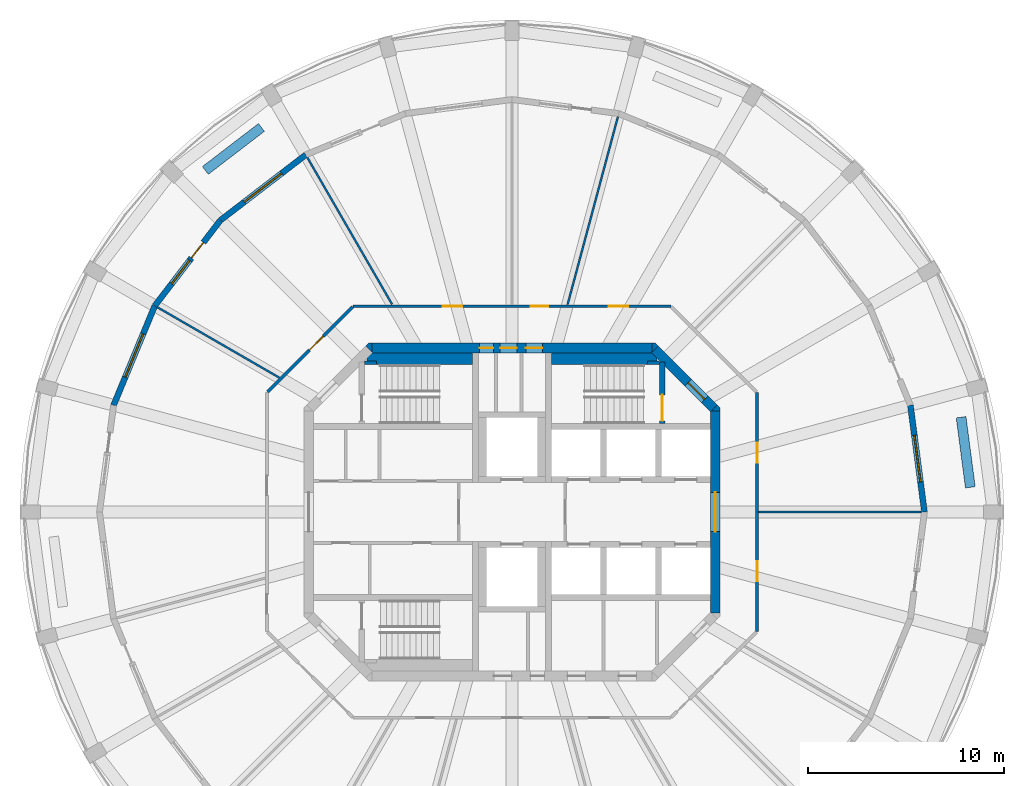
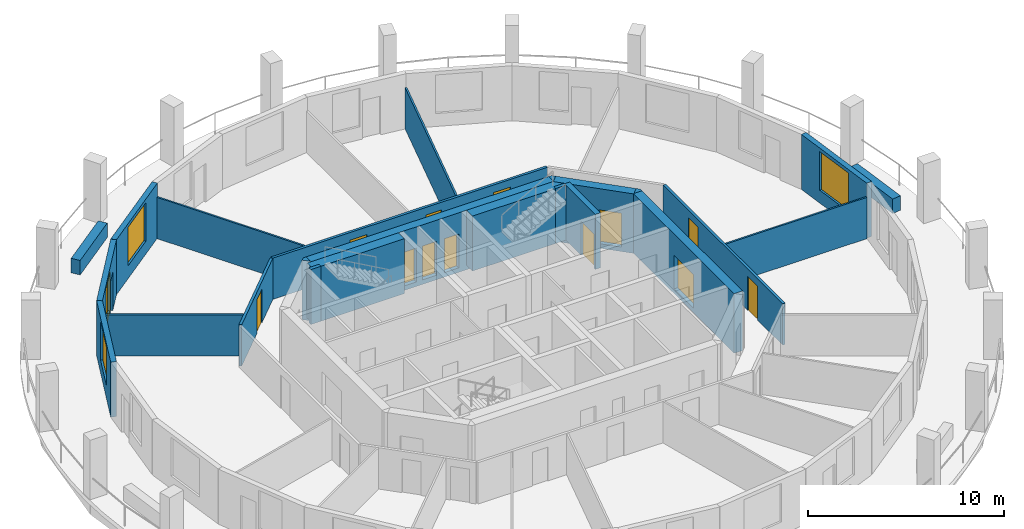
# One storey, part 5 of 8: 24 walls, 13 doors, 4 windows, 17 openings.
"""IFC4 building model written with IfcOpenShell, lengths in metres."""

from ifc_helpers import new_model, si_unit, direction, frame, frame_2d, origin, place, context, subcontext, project, spatial, polyline, rectangle, outline, extrude, material, layer, layer_set, type_object, element, fill, save


model = new_model("IFC4")

# Units and contexts
model_context = context("Model", 3, precision=1e-05, world=origin(), true_north=direction((0.0, 1.0)))
body_context = subcontext(model_context, "Body", "Model", "MODEL_VIEW")
ifc_project = project(units=[si_unit("LENGTHUNIT", "METRE"), si_unit("AREAUNIT", "SQUARE_METRE"), si_unit("VOLUMEUNIT", "CUBIC_METRE"), si_unit("PLANEANGLEUNIT", "RADIAN"), si_unit("MASSUNIT", "GRAM", prefix="KILO")], contexts=[model_context])

# Site, building, storey
site_placement = place(None, origin())
site = spatial("IfcSite", under=ifc_project, at=site_placement, CompositionType="ELEMENT")
building_placement = place(site_placement, origin())
building = spatial("IfcBuilding", under=site, at=building_placement, Name="Torre Triforio", CompositionType="ELEMENT")
storey_placement = place(building_placement, frame((0.0, 0.0, 257.5)))
storey = spatial("IfcBuildingStorey", under=building, at=storey_placement, Name="L59", CompositionType="ELEMENT", Elevation=257.5)

# Wall, openings, doors
ifc_material_1 = material(Name="Concrete C40", Category="concrete")
ifc_layer_1 = layer(ifc_material_1, 0.5)
ifc_layer_set_1 = layer_set([ifc_layer_1], Name="Concrete C40")
wall_type_1 = type_object("IfcWallType", Name="Core wall 500 mm C40 EI 120", PredefinedType="SHEAR", material=ifc_layer_set_1)
wall_1_placement = place(storey_placement, frame((-7.1298828125, 8.35009765625, -0.280029296875), z_axis=(0.0, 0.0, 1.0), x_axis=(1.0, 0.0, 0.0)))
wall_1 = element("IfcWall", 1, at=wall_1_placement, inside=storey, type_object=wall_type_1, Name="Core wall", PredefinedType="SHEAR", context=body_context, shape_type="SweptSolid", body=[
    extrude(rectangle(XDim=14.259765625, YDim=0.5, at=frame_2d((7.1298828125, 0.0))), origin(), (0.0, 0.0, 1.0), 3.699951171875),
])
opening_1_placement = place(wall_1_placement, frame((5.47998046875, 0.0, 0.280029296875)))
opening_1 = element("IfcOpeningElement", 2, at=opening_1_placement, cuts=wall_1, Name="Opening RISER-N", PredefinedType="OPENING", context=body_context, shape_type="SweptSolid", body=[
    extrude(rectangle(XDim=0.699951171875, YDim=2.10009765625, at=frame_2d((0.35009765625, 1.050048828125))), frame((0.0, 0.260009765625, 0.0), z_axis=(0.0, -1.0, 0.0), x_axis=(1.0, 0.0, 0.0)), (0.0, 0.0, 1.0), 0.52001953125),
])
opening_2_placement = place(wall_1_placement, frame((6.530029296875, 0.0, 0.280029296875)))
opening_2 = element("IfcOpeningElement", 3, at=opening_2_placement, cuts=wall_1, Name="Opening NE-01A", PredefinedType="OPENING", context=body_context, shape_type="SweptSolid", body=[
    extrude(rectangle(XDim=0.85009765625, YDim=2.10009765625, at=frame_2d((0.425048828125, 1.050048828125))), frame((0.0, 0.260009765625, 0.0), z_axis=(0.0, -1.0, 0.0), x_axis=(1.0, 0.0, 0.0)), (0.0, 0.0, 1.0), 0.52001953125),
])
opening_3_placement = place(wall_1_placement, frame((7.830078125, 0.0, 0.280029296875)))
opening_3 = element("IfcOpeningElement", 4, at=opening_3_placement, cuts=wall_1, Name="Opening NE-02", PredefinedType="OPENING", context=body_context, shape_type="SweptSolid", body=[
    extrude(rectangle(XDim=0.85009765625, YDim=2.10009765625, at=frame_2d((0.425048828125, 1.050048828125))), frame((0.0, 0.260009765625, 0.0), z_axis=(0.0, -1.0, 0.0), x_axis=(1.0, 0.0, 0.0)), (0.0, 0.0, 1.0), 0.52001953125),
])
ifc_material_2 = material(Name="Hollow metal fire door leaf")
door_type_1 = type_object("IfcDoorType", Name="Plant room door 850 x 2100 EI 60", OperationType="NOTDEFINED", PredefinedType="DOOR", material=ifc_material_2)
door_1_placement = place(opening_3_placement, origin())
door_1 = element("IfcDoor", 5, at=door_1_placement, inside=storey, type_object=door_type_1, Name="Core door NE-02", OperationType="SINGLE_SWING_RIGHT", OverallHeight=2.10009765625, OverallWidth=0.85009765625, PredefinedType="DOOR", context=body_context, shape_type="SweptSolid", body=[
    extrude(rectangle(XDim=0.85009765625, YDim=2.10009765625, at=frame_2d((0.425048828125, 1.050048828125))), frame((0.0, 0.02490234375, 0.0), z_axis=(0.0, -1.0, 0.0), x_axis=(1.0, 0.0, 0.0)), (0.0, 0.0, 1.0), 0.050048828125),
])
fill(opening_3, door_1)
door_type_2 = type_object("IfcDoorType", Name="Riser door 700 x 2100 EI 60", OperationType="NOTDEFINED", PredefinedType="DOOR", material=ifc_material_2)
door_2_placement = place(opening_1_placement, origin())
door_2 = element("IfcDoor", 6, at=door_2_placement, inside=storey, type_object=door_type_2, Name="Core door RISER-N", OperationType="SINGLE_SWING_LEFT", OverallHeight=2.10009765625, OverallWidth=0.699951171875, PredefinedType="DOOR", context=body_context, shape_type="SweptSolid", body=[
    extrude(rectangle(XDim=0.699951171875, YDim=2.10009765625, at=frame_2d((0.35009765625, 1.050048828125))), frame((0.0, 0.02490234375, 0.0), z_axis=(0.0, -1.0, 0.0), x_axis=(1.0, 0.0, 0.0)), (0.0, 0.0, 1.0), 0.050048828125),
])
fill(opening_1, door_2)
door_type_3 = type_object("IfcDoorType", Name="Room door 850 x 2100 EI 60", OperationType="NOTDEFINED", PredefinedType="DOOR", material=ifc_material_2)
door_3_placement = place(opening_2_placement, origin())
door_3 = element("IfcDoor", 7, at=door_3_placement, inside=storey, type_object=door_type_3, Name="Core door NE-01", OperationType="SINGLE_SWING_LEFT", OverallHeight=2.10009765625, OverallWidth=0.85009765625, PredefinedType="DOOR", context=body_context, shape_type="SweptSolid", body=[
    extrude(rectangle(XDim=0.85009765625, YDim=2.10009765625, at=frame_2d((0.425048828125, 1.050048828125))), frame((0.0, 0.02490234375, 0.0), z_axis=(0.0, -1.0, 0.0), x_axis=(1.0, 0.0, 0.0)), (0.0, 0.0, 1.0), 0.050048828125),
])
fill(opening_2, door_3)

# Wall, opening, door
wall_2_placement = place(storey_placement, frame((10.35009765625, -5.1298828125, -0.280029296875), z_axis=(0.0, 0.0, 1.0), x_axis=(0.0, 1.0, 0.0)))
wall_2 = element("IfcWall", 8, at=wall_2_placement, inside=storey, type_object=wall_type_1, Name="Core wall", PredefinedType="SHEAR", context=body_context, shape_type="SweptSolid", body=[
    extrude(rectangle(XDim=10.259765625, YDim=0.5, at=frame_2d((5.1298828125, 0.0))), origin(), (0.0, 0.0, 1.0), 3.699951171875),
])
opening_4_placement = place(wall_2_placement, frame((4.1298828125, 0.0, 0.280029296875)))
opening_4 = element("IfcOpeningElement", 9, at=opening_4_placement, cuts=wall_2, Name="Opening E-RING", PredefinedType="OPENING", context=body_context, shape_type="SweptSolid", body=[
    extrude(rectangle(XDim=2.0, YDim=2.10009765625, at=frame_2d((1.0, 1.050048828125))), frame((0.0, 0.260009765625, 0.0), z_axis=(0.0, -1.0, 0.0), x_axis=(1.0, 0.0, 0.0)), (0.0, 0.0, 1.0), 0.52001953125),
])
door_type_4 = type_object("IfcDoorType", Name="Lobby door 2000 x 2100 EI 60", OperationType="DOUBLE_DOOR_SINGLE_SWING", PredefinedType="DOOR", material=ifc_material_2)
door_4_placement = place(opening_4_placement, origin())
door_4 = element("IfcDoor", 10, at=door_4_placement, inside=storey, type_object=door_type_4, Name="Core door E-RING", OperationType="DOUBLE_DOOR_SINGLE_SWING", OverallHeight=2.10009765625, OverallWidth=2.0, PredefinedType="DOOR", context=body_context, shape_type="SweptSolid", body=[
    extrude(rectangle(XDim=2.0, YDim=2.10009765625, at=frame_2d((1.0, 1.050048828125))), frame((0.0, 0.02490234375, 0.0), z_axis=(0.0, -1.0, 0.0), x_axis=(1.0, 0.0, 0.0)), (0.0, 0.0, 1.0), 0.050048828125),
])
fill(opening_4, door_4)

wall_3_placement = place(storey_placement, frame((7.27685546875, 8.27685546875, -0.280029296875), z_axis=(0.0, 0.0, 1.0), x_axis=(0.707106781187, -0.707106781187, 0.0)))
wall_3 = element("IfcWall", 11, at=wall_3_placement, inside=storey, type_object=wall_type_1, Name="Core wall", PredefinedType="SHEAR", context=body_context, shape_type="SweptSolid", body=[
    extrude(rectangle(XDim=4.24267578125, YDim=0.5, at=frame_2d((2.121337890625, 0.0))), origin(), (0.0, 0.0, 1.0), 3.699951171875),
])
opening_5_placement = place(wall_3_placement, frame((2.392578125, 0.0, 0.280029296875)))
opening_5 = element("IfcOpeningElement", 12, at=opening_5_placement, cuts=wall_3, Name="Opening ST2-EXIT", PredefinedType="OPENING", context=body_context, shape_type="SweptSolid", body=[
    extrude(rectangle(XDim=1.199951171875, YDim=2.10009765625, at=frame_2d((0.60009765625, 1.050048828125))), frame((0.0, 0.260009765625, 0.0), z_axis=(0.0, -1.0, 0.0), x_axis=(1.0, 0.0, 0.0)), (0.0, 0.0, 1.0), 0.52001953125),
])
door_type_5 = type_object("IfcDoorType", Name="Stair lobby door 1200 x 2100 EI 60", OperationType="NOTDEFINED", PredefinedType="DOOR", material=ifc_material_2)
door_5_placement = place(opening_5_placement, origin())
door_5 = element("IfcDoor", 13, at=door_5_placement, inside=storey, type_object=door_type_5, Name="Core door ST2-EXIT", OperationType="SINGLE_SWING_RIGHT", OverallHeight=2.10009765625, OverallWidth=1.199951171875, PredefinedType="DOOR", context=body_context, shape_type="SweptSolid", body=[
    extrude(rectangle(XDim=1.199951171875, YDim=2.10009765625, at=frame_2d((0.60009765625, 1.050048828125))), frame((0.0, 0.02490234375, 0.0), z_axis=(0.0, -1.0, 0.0), x_axis=(1.0, 0.0, 0.0)), (0.0, 0.0, 1.0), 0.050048828125),
])
fill(opening_5, door_5)

# Walls
wall_4_placement = place(storey_placement, frame((0.0, 0.0, -0.280029296875)))
element("IfcWall", 14, at=wall_4_placement, inside=storey, type_object=wall_type_1, Name="Core wall", PredefinedType="SHEAR", context=body_context, shape_type="SweptSolid", body=[
    extrude(outline(polyline([(10.60009765625, 5.30712890625), (10.60009765625, 5.1298828125), (10.1298828125, 5.1298828125), (10.45361328125, 5.45361328125), (10.60009765625, 5.30712890625)])), origin(), (0.0, 0.0, 1.0), 3.699951171875),
])
wall_5_placement = place(storey_placement, frame((0.0, 0.0, -0.280029296875)))
element("IfcWall", 15, at=wall_5_placement, inside=storey, type_object=wall_type_1, Name="Core wall", PredefinedType="SHEAR", context=body_context, shape_type="SweptSolid", body=[
    extrude(outline(polyline([(-7.30712890625, 8.60009765625), (-7.1298828125, 8.60009765625), (-7.1298828125, 8.1298828125), (-7.45361328125, 8.45361328125), (-7.30712890625, 8.60009765625)])), origin(), (0.0, 0.0, 1.0), 3.699951171875),
])
wall_6_placement = place(storey_placement, frame((0.0, 0.0, -0.280029296875)))
element("IfcWall", 16, at=wall_6_placement, inside=storey, type_object=wall_type_1, Name="Core wall", PredefinedType="SHEAR", context=body_context, shape_type="SweptSolid", body=[
    extrude(outline(polyline([(7.30712890625, 8.60009765625), (7.45361328125, 8.45361328125), (7.1298828125, 8.1298828125), (7.1298828125, 8.60009765625), (7.30712890625, 8.60009765625)])), origin(), (0.0, 0.0, 1.0), 3.699951171875),
])

# Wall, opening, door
ifc_material_3 = material(Name="Plasterboard on metal studs")
ifc_layer_2 = layer(ifc_material_3, 0.14990234375)
ifc_layer_set_2 = layer_set([ifc_layer_2], Name="Plasterboard on metal studs")
wall_type_2 = type_object("IfcWallType", Name="Corridor and tenancy wall 150 mm EI 60", PredefinedType="PARTITIONING", material=ifc_layer_set_2)
wall_7_placement = place(storey_placement, frame((-12.43798828125, 6.120849609375, 0.0), z_axis=(0.0, 0.0, 1.0), x_axis=(0.707106781187, 0.707106781187, 0.0)))
wall_7 = element("IfcWall", 17, at=wall_7_placement, inside=storey, type_object=wall_type_2, Name="Partition 5", PredefinedType="PARTITIONING", context=body_context, shape_type="SweptSolid", body=[
    extrude(rectangle(XDim=6.10546875, YDim=0.14990234375, at=frame_2d((3.052734375, 0.0))), origin(), (0.0, 0.0, 1.0), 2.570068359375),
])
opening_6_placement = place(wall_7_placement, frame((3.001953125, 0.0, 0.0)))
opening_6 = element("IfcOpeningElement", 18, at=opening_6_placement, cuts=wall_7, Name="Opening E1-04", PredefinedType="OPENING", context=body_context, shape_type="SweptSolid", body=[
    extrude(rectangle(XDim=1.0, YDim=2.10009765625, at=frame_2d((0.5, 1.050048828125))), frame((0.0, 0.0849609375, 0.0), z_axis=(0.0, -1.0, 0.0), x_axis=(1.0, 0.0, 0.0)), (0.0, 0.0, 1.0), 0.169921875),
])
ifc_material_4 = material(Name="Timber", Category="wood")
door_type_6 = type_object("IfcDoorType", Name="Door 1000 x 2100 single leaf EI 30", OperationType="NOTDEFINED", PredefinedType="DOOR", material=ifc_material_4)
door_6_placement = place(opening_6_placement, origin())
door_6 = element("IfcDoor", 19, at=door_6_placement, inside=storey, type_object=door_type_6, Name="Door E1-04", OperationType="SINGLE_SWING_LEFT", OverallHeight=2.10009765625, OverallWidth=1.0, PredefinedType="DOOR", context=body_context, shape_type="SweptSolid", body=[
    extrude(rectangle(XDim=1.0, YDim=2.10009765625, at=frame_2d((0.5, 1.050048828125))), frame((0.0, 0.02490234375, 0.0), z_axis=(0.0, -1.0, 0.0), x_axis=(1.0, 0.0, 0.0)), (0.0, 0.0, 1.0), 0.050048828125),
])
fill(opening_6, door_6)

# Wall, openings, doors
wall_8_placement = place(storey_placement, frame((-8.083740234375, 10.47509765625, 0.0), z_axis=(0.0, 0.0, 1.0), x_axis=(1.0, 0.0, 0.0)))
wall_8 = element("IfcWall", 20, at=wall_8_placement, inside=storey, type_object=wall_type_2, Name="Partition 6", PredefinedType="PARTITIONING", context=body_context, shape_type="SweptSolid", body=[
    extrude(rectangle(XDim=16.16748046875, YDim=0.14990234375, at=frame_2d((8.083740234375, 0.0))), origin(), (0.0, 0.0, 1.0), 2.570068359375),
])
opening_7_placement = place(wall_8_placement, frame((13.00390625, 0.0, 0.0)))
opening_7 = element("IfcOpeningElement", 21, at=opening_7_placement, cuts=wall_8, Name="Opening E1-01", PredefinedType="OPENING", context=body_context, shape_type="SweptSolid", body=[
    extrude(rectangle(XDim=1.0, YDim=2.10009765625, at=frame_2d((0.5, 1.050048828125))), frame((0.0, 0.0849609375, 0.0), z_axis=(0.0, -1.0, 0.0), x_axis=(1.0, 0.0, 0.0)), (0.0, 0.0, 1.0), 0.169921875),
])
opening_8_placement = place(wall_8_placement, frame((9.0380859375, 0.0, 0.0)))
opening_8 = element("IfcOpeningElement", 22, at=opening_8_placement, cuts=wall_8, Name="Opening E1-02", PredefinedType="OPENING", context=body_context, shape_type="SweptSolid", body=[
    extrude(rectangle(XDim=0.89990234375, YDim=2.10009765625, at=frame_2d((0.449951171875, 1.050048828125))), frame((0.0, 0.0849609375, 0.0), z_axis=(0.0, -1.0, 0.0), x_axis=(1.0, 0.0, 0.0)), (0.0, 0.0, 1.0), 0.169921875),
])
opening_9_placement = place(wall_8_placement, frame((4.555908203125, 0.0, 0.0)))
opening_9 = element("IfcOpeningElement", 23, at=opening_9_placement, cuts=wall_8, Name="Opening E1-03", PredefinedType="OPENING", context=body_context, shape_type="SweptSolid", body=[
    extrude(rectangle(XDim=1.0, YDim=2.10009765625, at=frame_2d((0.5, 1.050048828125))), frame((0.0, 0.0849609375, 0.0), z_axis=(0.0, -1.0, 0.0), x_axis=(1.0, 0.0, 0.0)), (0.0, 0.0, 1.0), 0.169921875),
])
door_7_placement = place(opening_7_placement, origin())
door_7 = element("IfcDoor", 24, at=door_7_placement, inside=storey, type_object=door_type_6, Name="Door E1-01", OperationType="SINGLE_SWING_LEFT", OverallHeight=2.10009765625, OverallWidth=1.0, PredefinedType="DOOR", context=body_context, shape_type="SweptSolid", body=[
    extrude(rectangle(XDim=1.0, YDim=2.10009765625, at=frame_2d((0.5, 1.050048828125))), frame((0.0, 0.02490234375, 0.0), z_axis=(0.0, -1.0, 0.0), x_axis=(1.0, 0.0, 0.0)), (0.0, 0.0, 1.0), 0.050048828125),
])
fill(opening_7, door_7)
door_8_placement = place(opening_9_placement, origin())
door_8 = element("IfcDoor", 25, at=door_8_placement, inside=storey, type_object=door_type_6, Name="Door E1-03", OperationType="SINGLE_SWING_LEFT", OverallHeight=2.10009765625, OverallWidth=1.0, PredefinedType="DOOR", context=body_context, shape_type="SweptSolid", body=[
    extrude(rectangle(XDim=1.0, YDim=2.10009765625, at=frame_2d((0.5, 1.050048828125))), frame((0.0, 0.02490234375, 0.0), z_axis=(0.0, -1.0, 0.0), x_axis=(1.0, 0.0, 0.0)), (0.0, 0.0, 1.0), 0.050048828125),
])
fill(opening_9, door_8)
door_type_7 = type_object("IfcDoorType", Name="Door 900 x 2100 single leaf EI 30", OperationType="NOTDEFINED", PredefinedType="DOOR", material=ifc_material_4)
door_9_placement = place(opening_8_placement, origin())
door_9 = element("IfcDoor", 26, at=door_9_placement, inside=storey, type_object=door_type_7, Name="Door E1-02", OperationType="SINGLE_SWING_LEFT", OverallHeight=2.10009765625, OverallWidth=0.89990234375, PredefinedType="DOOR", context=body_context, shape_type="SweptSolid", body=[
    extrude(rectangle(XDim=0.89990234375, YDim=2.10009765625, at=frame_2d((0.449951171875, 1.050048828125))), frame((0.0, 0.02490234375, 0.0), z_axis=(0.0, -1.0, 0.0), x_axis=(1.0, 0.0, 0.0)), (0.0, 0.0, 1.0), 0.050048828125),
])
fill(opening_8, door_9)

wall_9_placement = place(storey_placement, frame((12.47509765625, 6.083740234375, 0.0), z_axis=(0.0, 0.0, 1.0), x_axis=(0.0, -1.0, 0.0)))
wall_9 = element("IfcWall", 27, at=wall_9_placement, inside=storey, type_object=wall_type_2, Name="Partition 8", PredefinedType="PARTITIONING", context=body_context, shape_type="SweptSolid", body=[
    extrude(rectangle(XDim=12.16748046875, YDim=0.14990234375, at=frame_2d((6.083740234375, 0.0))), origin(), (0.0, 0.0, 1.0), 2.570068359375),
])
opening_10_placement = place(wall_9_placement, frame((8.6005859375, 0.0, 0.0)))
opening_10 = element("IfcOpeningElement", 28, at=opening_10_placement, cuts=wall_9, Name="Opening E1-14", PredefinedType="OPENING", context=body_context, shape_type="SweptSolid", body=[
    extrude(rectangle(XDim=1.0, YDim=2.10009765625, at=frame_2d((0.5, 1.050048828125))), frame((0.0, 0.0849609375, 0.0), z_axis=(0.0, -1.0, 0.0), x_axis=(1.0, 0.0, 0.0)), (0.0, 0.0, 1.0), 0.169921875),
])
opening_11_placement = place(wall_9_placement, frame((2.56689453125, 0.0, 0.0)))
opening_11 = element("IfcOpeningElement", 29, at=opening_11_placement, cuts=wall_9, Name="Opening E1-15", PredefinedType="OPENING", context=body_context, shape_type="SweptSolid", body=[
    extrude(rectangle(XDim=1.0, YDim=2.10009765625, at=frame_2d((0.5, 1.050048828125))), frame((0.0, 0.0849609375, 0.0), z_axis=(0.0, -1.0, 0.0), x_axis=(1.0, 0.0, 0.0)), (0.0, 0.0, 1.0), 0.169921875),
])
door_10_placement = place(opening_10_placement, origin())
door_10 = element("IfcDoor", 30, at=door_10_placement, inside=storey, type_object=door_type_6, Name="Door E1-14", OperationType="SINGLE_SWING_LEFT", OverallHeight=2.10009765625, OverallWidth=1.0, PredefinedType="DOOR", context=body_context, shape_type="SweptSolid", body=[
    extrude(rectangle(XDim=1.0, YDim=2.10009765625, at=frame_2d((0.5, 1.050048828125))), frame((0.0, 0.02490234375, 0.0), z_axis=(0.0, -1.0, 0.0), x_axis=(1.0, 0.0, 0.0)), (0.0, 0.0, 1.0), 0.050048828125),
])
fill(opening_10, door_10)
door_11_placement = place(opening_11_placement, origin())
door_11 = element("IfcDoor", 31, at=door_11_placement, inside=storey, type_object=door_type_6, Name="Door E1-15", OperationType="SINGLE_SWING_LEFT", OverallHeight=2.10009765625, OverallWidth=1.0, PredefinedType="DOOR", context=body_context, shape_type="SweptSolid", body=[
    extrude(rectangle(XDim=1.0, YDim=2.10009765625, at=frame_2d((0.5, 1.050048828125))), frame((0.0, 0.02490234375, 0.0), z_axis=(0.0, -1.0, 0.0), x_axis=(1.0, 0.0, 0.0)), (0.0, 0.0, 1.0), 0.050048828125),
])
fill(opening_11, door_11)

# Walls
ifc_layer_3 = layer(ifc_material_3, 0.10009765625)
ifc_layer_set_3 = layer_set([ifc_layer_3], Name="Plasterboard on metal studs")
wall_type_3 = type_object("IfcWallType", Name="Partition 100 mm board on metal studs", PredefinedType="PARTITIONING", material=ifc_layer_set_3)
wall_10_placement = place(storey_placement, frame((12.550048828125, 0.0, 0.0), z_axis=(0.0, 0.0, 1.0), x_axis=(1.0, 0.0, 0.0)))
element("IfcWall", 32, at=wall_10_placement, inside=storey, type_object=wall_type_3, Name="Partition 9", PredefinedType="PARTITIONING", context=body_context, shape_type="SweptSolid", body=[
    extrude(rectangle(XDim=8.28662109375, YDim=0.10009765625, at=frame_2d((4.143310546875, 0.0))), origin(), (0.0, 0.0, 1.0), 2.570068359375),
])
wall_11_placement = place(storey_placement, frame((2.830810546875, 10.564208984375, 0.0), z_axis=(0.0, 0.0, 1.0), x_axis=(0.258795254151, 0.965932200741, 0.0)))
element("IfcWall", 33, at=wall_11_placement, inside=storey, type_object=wall_type_3, Name="Partition 11", PredefinedType="PARTITIONING", context=body_context, shape_type="SweptSolid", body=[
    extrude(rectangle(XDim=9.899658203125, YDim=0.10009765625, at=frame_2d((4.94970703125, 0.0))), origin(), (0.0, 0.0, 1.0), 2.570068359375),
])
wall_12_placement = place(storey_placement, frame((-6.105224609375, 10.57470703125, 0.0), z_axis=(0.0, 0.0, 1.0), x_axis=(-0.50001399067, 0.866017326117, 0.0)))
element("IfcWall", 34, at=wall_12_placement, inside=storey, type_object=wall_type_3, Name="Partition 13", PredefinedType="PARTITIONING", context=body_context, shape_type="SweptSolid", body=[
    extrude(rectangle(XDim=8.626220703125, YDim=0.10009765625, at=frame_2d((4.31298828125, 0.0))), origin(), (0.0, 0.0, 1.0), 2.570068359375),
])
wall_13_placement = place(storey_placement, frame((-11.845947265625, 6.839111328125, 0.0), z_axis=(0.0, 0.0, 1.0), x_axis=(-0.866011787705, 0.500023583, 0.0)))
element("IfcWall", 35, at=wall_13_placement, inside=storey, type_object=wall_type_3, Name="Partition 14", PredefinedType="PARTITIONING", context=body_context, shape_type="SweptSolid", body=[
    extrude(rectangle(XDim=7.158447265625, YDim=0.10009765625, at=frame_2d((3.5791015625, 0.0))), origin(), (0.0, 0.0, 1.0), 2.570068359375),
])
ifc_material_5 = material(Name="Limestone cladding", Category="masonry")
ifc_layer_4 = layer(ifc_material_5, 0.10009765625)
ifc_layer_5 = layer(ifc_material_1, 0.39990234375)
ifc_layer_set_4 = layer_set([ifc_layer_4, ifc_layer_5], Name="Limestone cladding / Concrete C40")
wall_type_4 = type_object("IfcWallType", Name="Planter wall 500", PredefinedType="PARAPET", material=ifc_layer_set_4)
for number, where, z_axis, x_axis, name in (
    (36, (23.335693359375, 1.256591796875, 0.0), (0.0, 0.0, 1.0), (-0.130542222659, 0.991442750795, 0.0), "Planter L59 bay 01"),
    (37, (-12.756103515625, 19.580810546875, 0.0), (0.0, 0.0, 1.0), (-0.793384730612, -0.608720518162, 0.0), "Planter L59 bay 09"),
):
    element("IfcWall", number, at=place(storey_placement, frame(where, z_axis=z_axis, x_axis=x_axis)), inside=storey, type_object=wall_type_4, Name=name, PredefinedType="PARAPET", context=body_context, shape_type="SweptSolid", body=[
        extrude(rectangle(XDim=3.60009765625, YDim=0.5, at=frame_2d((1.800048828125, 0.0))), origin(), (0.0, 0.0, 1.0), 0.89990234375),
    ])
ifc_layer_6 = layer(ifc_material_1, 0.199951171875)
ifc_layer_set_5 = layer_set([ifc_layer_6], Name="Concrete C40")
wall_type_5 = type_object("IfcWallType", Name="Stair wall 200 mm C40 EI 120", PredefinedType="SHEAR", material=ifc_layer_set_5)
for number, where, z_axis, x_axis, name in (
    (38, (-7.5, 7.60009765625, 0.0), (0.0, 0.0, 1.0), (1.0, 0.0, 0.0), "Stair wall"),
    (39, (6.89990234375, 7.60009765625, 0.0), (0.0, 0.0, 1.0), (1.0, 0.0, 0.0), "Stair wall"),
):
    element("IfcWall", number, at=place(storey_placement, frame(where, z_axis=z_axis, x_axis=x_axis)), inside=storey, type_object=wall_type_5, Name=name, PredefinedType="SHEAR", context=body_context, shape_type="SweptSolid", body=[
        extrude(rectangle(XDim=0.60009765625, YDim=0.199951171875, at=frame_2d((0.300048828125, 0.0))), origin(), (0.0, 0.0, 1.0), 3.419921875),
    ])

# Wall, opening, door
ifc_layer_7 = layer(ifc_material_1, 0.300048828125)
ifc_layer_set_6 = layer_set([ifc_layer_7], Name="Concrete C40")
wall_type_6 = type_object("IfcWallType", Name="Stair wall 300 mm C40 EI 120", PredefinedType="SHEAR", material=ifc_layer_set_6)
wall_14_placement = place(storey_placement, frame((7.64990234375, 4.5, 0.0), z_axis=(0.0, 0.0, 1.0), x_axis=(0.0, 1.0, 0.0)))
wall_14 = element("IfcWall", 40, at=wall_14_placement, inside=storey, type_object=wall_type_6, Name="Stair wall", PredefinedType="SHEAR", context=body_context, shape_type="SweptSolid", body=[
    extrude(rectangle(XDim=3.139892578125, YDim=0.300048828125, at=frame_2d((1.56982421875, 0.0))), origin(), (0.0, 0.0, 1.0), 3.419921875),
])
opening_12_placement = place(wall_14_placement, frame((0.139892578125, 0.0, 0.0)))
opening_12 = element("IfcOpeningElement", 41, at=opening_12_placement, cuts=wall_14, Name="Opening ST2-STA", PredefinedType="OPENING", context=body_context, shape_type="SweptSolid", body=[
    extrude(rectangle(XDim=1.320068359375, YDim=2.10009765625, at=frame_2d((0.66015625, 1.050048828125))), frame((0.0, 0.159912109375, 0.0), z_axis=(0.0, -1.0, 0.0), x_axis=(1.0, 0.0, 0.0)), (0.0, 0.0, 1.0), 0.320068359375),
])
door_type_8 = type_object("IfcDoorType", Name="Stair door 1320 x 2100 EI 90", OperationType="DOUBLE_DOOR_SINGLE_SWING", PredefinedType="DOOR", material=ifc_material_2)
door_12_placement = place(opening_12_placement, origin())
door_12 = element("IfcDoor", 42, at=door_12_placement, inside=storey, type_object=door_type_8, Name="Core door ST2-ST", OperationType="DOUBLE_DOOR_SINGLE_SWING", OverallHeight=2.10009765625, OverallWidth=1.320068359375, PredefinedType="DOOR", context=body_context, shape_type="SweptSolid", body=[
    extrude(rectangle(XDim=1.320068359375, YDim=2.10009765625, at=frame_2d((0.66015625, 1.050048828125))), frame((0.0, 0.02490234375, 0.0), z_axis=(0.0, -1.0, 0.0), x_axis=(1.0, 0.0, 0.0)), (0.0, 0.0, 1.0), 0.050048828125),
])
fill(opening_12, door_12)

# Walls
ifc_layer_8 = layer(ifc_material_1, 0.60009765625)
ifc_layer_set_7 = layer_set([ifc_layer_8], Name="Concrete C40")
wall_type_7 = type_object("IfcWallType", Name="Stair wall 600 mm C40 EI 120", PredefinedType="SHEAR", material=ifc_layer_set_7)
for number, where, z_axis, x_axis, name in (
    (43, (-7.3701171875, 7.800048828125, 0.0), (0.0, 0.0, 1.0), (1.0, 0.0, 0.0), "Stair wall"),
    (44, (2.0, 7.800048828125, 0.0), (0.0, 0.0, 1.0), (1.0, 0.0, 0.0), "Stair wall"),
):
    element("IfcWall", number, at=place(storey_placement, frame(where, z_axis=z_axis, x_axis=x_axis)), inside=storey, type_object=wall_type_7, Name=name, PredefinedType="SHEAR", context=body_context, shape_type="SweptSolid", body=[
        extrude(rectangle(XDim=5.3701171875, YDim=0.60009765625, at=frame_2d((2.68505859375, 0.0))), origin(), (0.0, 0.0, 1.0), 3.419921875),
    ])

# Wall, opening, window
ifc_layer_9 = layer(ifc_material_5, 0.10009765625)
ifc_layer_10 = layer(ifc_material_1, 0.199951171875)
ifc_layer_set_8 = layer_set([ifc_layer_9, ifc_layer_10], Name="Limestone cladding / Concrete C40")
wall_type_8 = type_object("IfcWallType", Name="Stone-faced composite wall 300", PredefinedType="STANDARD", material=ifc_layer_set_8)
wall_15_placement = place(storey_placement, frame((21.0, 0.0, 0.0), z_axis=(0.0, 0.0, 1.0), x_axis=(-0.130527087244, 0.991444743541, 0.0)))
wall_15 = element("IfcWall", 45, at=wall_15_placement, inside=storey, type_object=wall_type_8, Name="External wall L59 bay 01", PredefinedType="STANDARD", context=body_context, shape_type="SweptSolid", body=[
    extrude(rectangle(XDim=5.482177734375, YDim=0.300048828125, at=frame_2d((2.7412109375, 0.0))), origin(), (0.0, 0.0, 1.0), 3.419921875),
])
opening_13_placement = place(wall_15_placement, frame((1.541015625, 0.0, 0.800048828125)))
opening_13 = element("IfcOpeningElement", 46, at=opening_13_placement, cuts=wall_15, Name="Opening E1-W01", PredefinedType="OPENING", context=body_context, shape_type="SweptSolid", body=[
    extrude(rectangle(XDim=2.39990234375, YDim=2.39990234375, at=frame_2d((1.199951171875, 1.199951171875))), frame((0.0, 0.159912109375, 0.0), z_axis=(0.0, -1.0, 0.0), x_axis=(1.0, 0.0, 0.0)), (0.0, 0.0, 1.0), 0.320068359375),
])
ifc_material_6 = material(Name="Aluminium frame with clear double glazing", Category="aluminium")
window_type_1 = type_object("IfcWindowType", Name="Punched window 2400 x 2400", PartitioningType="DOUBLE_PANEL_VERTICAL", PredefinedType="WINDOW", material=ifc_material_6)
window_1_placement = place(opening_13_placement, origin())
window_1 = element("IfcWindow", 47, at=window_1_placement, inside=storey, type_object=window_type_1, Name="Window EWN4 L59 bay 01", OverallHeight=2.39990234375, OverallWidth=2.39990234375, PartitioningType="SINGLE_PANEL", PredefinedType="WINDOW", context=body_context, shape_type="SweptSolid", body=[
    extrude(rectangle(XDim=2.39990234375, YDim=2.39990234375, at=frame_2d((1.199951171875, 1.199951171875))), frame((0.0, 0.030029296875, 0.0), z_axis=(0.0, -1.0, 0.0), x_axis=(1.0, 0.0, 0.0)), (0.0, 0.0, 1.0), 0.06005859375),
])
fill(opening_13, window_1)

wall_16_placement = place(storey_placement, frame((-10.5, 18.1865234375, 0.0), z_axis=(0.0, 0.0, 1.0), x_axis=(-0.793335336593, -0.608784891166, 0.0)))
wall_16 = element("IfcWall", 48, at=wall_16_placement, inside=storey, type_object=wall_type_8, Name="External wall L59 bay 09", PredefinedType="STANDARD", context=body_context, shape_type="SweptSolid", body=[
    extrude(rectangle(XDim=5.482177734375, YDim=0.300048828125, at=frame_2d((2.7412109375, 0.0))), origin(), (0.0, 0.0, 1.0), 3.419921875),
])
opening_14_placement = place(wall_16_placement, frame((1.541015625, 0.0, 0.800048828125)))
opening_14 = element("IfcOpeningElement", 49, at=opening_14_placement, cuts=wall_16, Name="Opening E1-W09", PredefinedType="OPENING", context=body_context, shape_type="SweptSolid", body=[
    extrude(rectangle(XDim=2.39990234375, YDim=2.39990234375, at=frame_2d((1.199951171875, 1.199951171875))), frame((0.0, 0.159912109375, 0.0), z_axis=(0.0, -1.0, 0.0), x_axis=(1.0, 0.0, 0.0)), (0.0, 0.0, 1.0), 0.320068359375),
])
window_2_placement = place(opening_14_placement, origin())
window_2 = element("IfcWindow", 50, at=window_2_placement, inside=storey, type_object=window_type_1, Name="Window EWN4 L59 bay 09", OverallHeight=2.39990234375, OverallWidth=2.39990234375, PartitioningType="SINGLE_PANEL", PredefinedType="WINDOW", context=body_context, shape_type="SweptSolid", body=[
    extrude(rectangle(XDim=2.39990234375, YDim=2.39990234375, at=frame_2d((1.199951171875, 1.199951171875))), frame((0.0, 0.030029296875, 0.0), z_axis=(0.0, -1.0, 0.0), x_axis=(1.0, 0.0, 0.0)), (0.0, 0.0, 1.0), 0.06005859375),
])
fill(opening_14, window_2)

# Wall, openings, door, window
wall_17_placement = place(storey_placement, frame((-14.84912109375, 14.84912109375, 0.0), z_axis=(0.0, 0.0, 1.0), x_axis=(-0.608784891166, -0.793335336593, 0.0)))
wall_17 = element("IfcWall", 51, at=wall_17_placement, inside=storey, type_object=wall_type_8, Name="External wall L59 bay 10", PredefinedType="STANDARD", context=body_context, shape_type="SweptSolid", body=[
    extrude(rectangle(XDim=5.482177734375, YDim=0.300048828125, at=frame_2d((2.7412109375, 0.0))), origin(), (0.0, 0.0, 1.0), 3.419921875),
])
opening_15_placement = place(wall_17_placement, frame((1.416015625, 0.0, 0.0)))
opening_15 = element("IfcOpeningElement", 52, at=opening_15_placement, cuts=wall_17, Name="Opening E1-D10", PredefinedType="OPENING", context=body_context, shape_type="SweptSolid", body=[
    extrude(rectangle(XDim=1.0, YDim=2.39990234375, at=frame_2d((0.5, 1.199951171875))), frame((0.0, 0.159912109375, 0.0), z_axis=(0.0, -1.0, 0.0), x_axis=(1.0, 0.0, 0.0)), (0.0, 0.0, 1.0), 0.320068359375),
])
opening_16_placement = place(wall_17_placement, frame((2.56591796875, 0.0, 0.800048828125)))
opening_16 = element("IfcOpeningElement", 53, at=opening_16_placement, cuts=wall_17, Name="Opening E1-W10A", PredefinedType="OPENING", context=body_context, shape_type="SweptSolid", body=[
    extrude(rectangle(XDim=1.5, YDim=2.39990234375, at=frame_2d((0.75, 1.199951171875))), frame((0.0, 0.159912109375, 0.0), z_axis=(0.0, -1.0, 0.0), x_axis=(1.0, 0.0, 0.0)), (0.0, 0.0, 1.0), 0.320068359375),
])
door_type_9 = type_object("IfcDoorType", Name="Loggia door 1000 x 2400", OperationType="NOTDEFINED", PredefinedType="DOOR", material=ifc_material_6)
door_13_placement = place(opening_15_placement, origin())
door_13 = element("IfcDoor", 54, at=door_13_placement, inside=storey, type_object=door_type_9, Name="Loggia door L59 bay 10", OperationType="SINGLE_SWING_LEFT", OverallHeight=2.39990234375, OverallWidth=1.0, PredefinedType="DOOR", context=body_context, shape_type="SweptSolid", body=[
    extrude(rectangle(XDim=1.0, YDim=2.39990234375, at=frame_2d((0.5, 1.199951171875))), frame((0.0, 0.02490234375, 0.0), z_axis=(0.0, -1.0, 0.0), x_axis=(1.0, 0.0, 0.0)), (0.0, 0.0, 1.0), 0.050048828125),
])
fill(opening_15, door_13)
window_type_2 = type_object("IfcWindowType", Name="Side window 1500 x 2400", PartitioningType="SINGLE_PANEL", PredefinedType="WINDOW", material=ifc_material_6)
window_3_placement = place(opening_16_placement, origin())
window_3 = element("IfcWindow", 55, at=window_3_placement, inside=storey, type_object=window_type_2, Name="Side window EWN14 L59 bay 10", OverallHeight=2.39990234375, OverallWidth=1.5, PartitioningType="SINGLE_PANEL", PredefinedType="WINDOW", context=body_context, shape_type="SweptSolid", body=[
    extrude(rectangle(XDim=1.5, YDim=2.39990234375, at=frame_2d((0.75, 1.199951171875))), frame((0.0, 0.030029296875, 0.0), z_axis=(0.0, -1.0, 0.0), x_axis=(1.0, 0.0, 0.0)), (0.0, 0.0, 1.0), 0.06005859375),
])
fill(opening_16, window_3)

# Wall, opening, window
wall_18_placement = place(storey_placement, frame((-18.1865234375, 10.5, 0.0), z_axis=(0.0, 0.0, 1.0), x_axis=(-0.382688740813, -0.923877333662, 0.0)))
wall_18 = element("IfcWall", 56, at=wall_18_placement, inside=storey, type_object=wall_type_8, Name="External wall L59 bay 11", PredefinedType="STANDARD", context=body_context, shape_type="SweptSolid", body=[
    extrude(rectangle(XDim=5.48193359375, YDim=0.300048828125, at=frame_2d((2.740966796875, 0.0))), origin(), (0.0, 0.0, 1.0), 3.419921875),
])
opening_17_placement = place(wall_18_placement, frame((1.541015625, 0.0, 0.800048828125)))
opening_17 = element("IfcOpeningElement", 57, at=opening_17_placement, cuts=wall_18, Name="Opening E1-W11", PredefinedType="OPENING", context=body_context, shape_type="SweptSolid", body=[
    extrude(rectangle(XDim=2.39990234375, YDim=2.39990234375, at=frame_2d((1.199951171875, 1.199951171875))), frame((0.0, 0.159912109375, 0.0), z_axis=(0.0, -1.0, 0.0), x_axis=(1.0, 0.0, 0.0)), (0.0, 0.0, 1.0), 0.320068359375),
])
window_4_placement = place(opening_17_placement, origin())
window_4 = element("IfcWindow", 58, at=window_4_placement, inside=storey, type_object=window_type_1, Name="Window EWN4 L59 bay 11", OverallHeight=2.39990234375, OverallWidth=2.39990234375, PartitioningType="SINGLE_PANEL", PredefinedType="WINDOW", context=body_context, shape_type="SweptSolid", body=[
    extrude(rectangle(XDim=2.39990234375, YDim=2.39990234375, at=frame_2d((1.199951171875, 1.199951171875))), frame((0.0, 0.030029296875, 0.0), z_axis=(0.0, -1.0, 0.0), x_axis=(1.0, 0.0, 0.0)), (0.0, 0.0, 1.0), 0.06005859375),
])
fill(opening_17, window_4)

save(model, "model.ifc")
